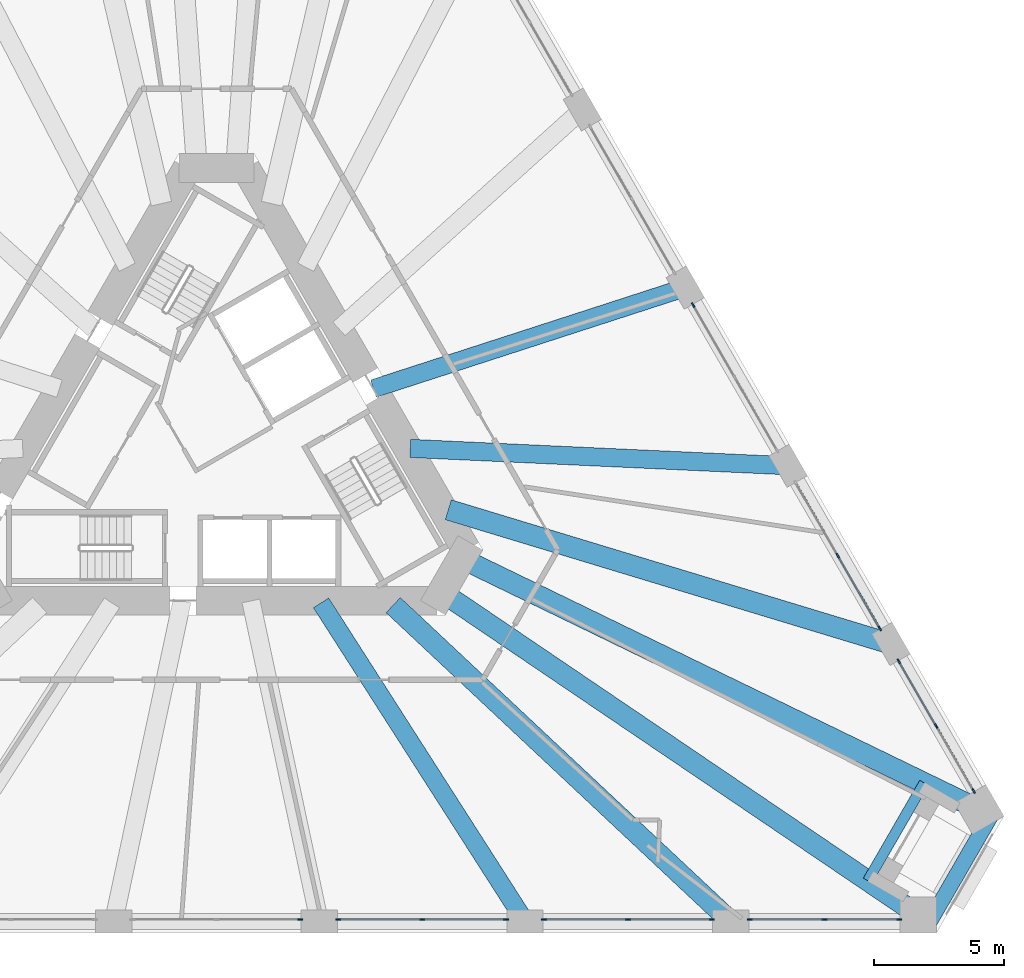
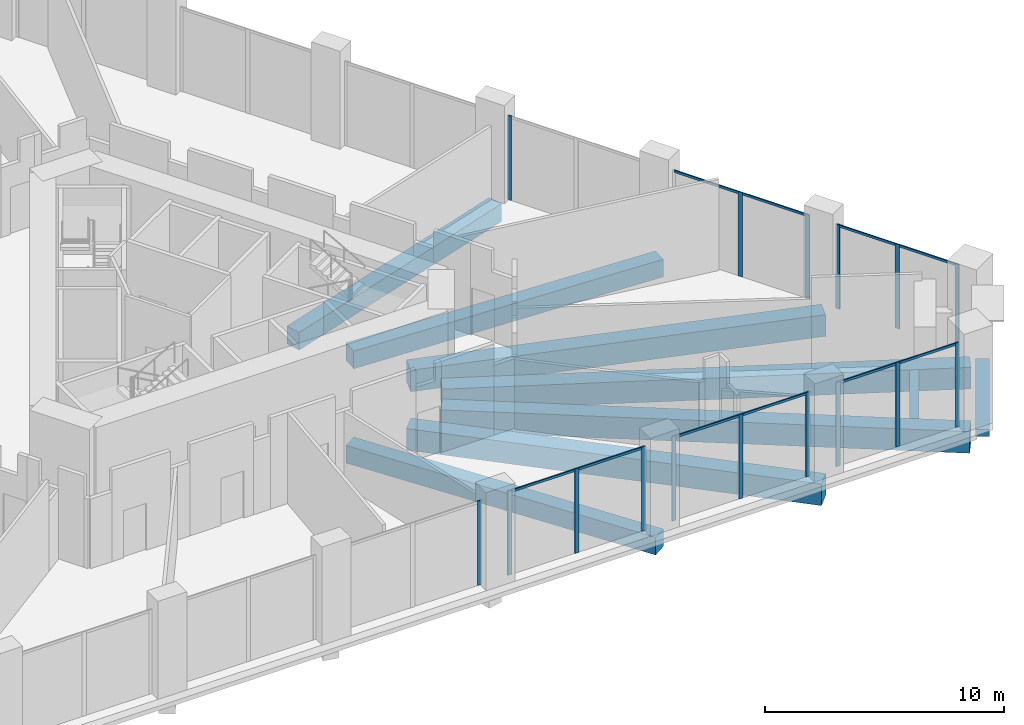
# One storey, part 7 of 20: 26 members, 9 beams, 7 elements without a shape of their own.
"""IFC4 building model written with IfcOpenShell, lengths in metres."""

import ifcopenshell
import ifcopenshell.guid

model = None  # the IFC model being written
_history = None  # IfcOwnerHistory: only IFC2X3 demands one
_inside = {}  # id of a spatial element -> (the spatial element, [elements in it])
_under = {}  # id of a project, library or spatial element -> (it, [spatial elements below it])
_declared = {}  # id of a project -> (the project, [libraries it declares])
_typed = {}  # id of a type object -> (the type object, [elements of that type])
_made_of = {}  # id of a material, layer set ... -> (it, [elements and type objects made of it])


def new_model(schema):
    """Start an empty IFC model of exactly this schema.

    Asked for "IFC4X3", IfcOpenShell would pick the latest addendum, in which some entities
    have other attributes; the version numbers below select the first issue.
    IFC2X3 requires an IfcOwnerHistory on every rooted entity: one is made here for all.
    """
    global model, _history
    if schema == "IFC4X3":
        model = ifcopenshell.file(schema_version=(4, 3, 0, 0))
    else:
        model = ifcopenshell.file(schema=schema)
    _inside.clear()
    _under.clear()
    _declared.clear()
    _typed.clear()
    _made_of.clear()
    _history = None
    if model.schema == "IFC2X3":
        org = make("IfcOrganization", Name="unknown")
        user = make(
            "IfcPersonAndOrganization",
            ThePerson=make("IfcPerson", FamilyName="unknown"),
            TheOrganization=org,
        )
        app = make(
            "IfcApplication",
            ApplicationDeveloper=org,
            Version="unknown",
            ApplicationFullName="unknown",
            ApplicationIdentifier="unknown",
        )
        _history = make(
            "IfcOwnerHistory",
            OwningUser=user,
            OwningApplication=app,
            ChangeAction="ADDED",
            CreationDate=0,
        )
    return model


def make(cls, **values):
    """One entity of the class cls with the attributes given. An attribute that is None is left unset."""
    return model.create_entity(
        cls, **{name: value for name, value in values.items() if value is not None}
    )


def rooted(cls, **values):
    """An entity with a GlobalId (a new one), such as an element, a storey or a relation."""
    return make(cls, GlobalId=ifcopenshell.guid.new(), OwnerHistory=_history, **values)


def si_unit(unit_type, name, prefix=None):
    """IfcSIUnit, for example si_unit("LENGTHUNIT", "METRE", prefix="MILLI")."""
    return make("IfcSIUnit", UnitType=unit_type, Prefix=prefix, Name=name)


def assignment(units):
    """IfcUnitAssignment: the units of a project."""
    return None if units is None else make("IfcUnitAssignment", Units=units)


def point(xyz):
    """IfcCartesianPoint."""
    return None if xyz is None else make("IfcCartesianPoint", Coordinates=xyz)


def direction(xyz):
    """IfcDirection."""
    return None if xyz is None else make("IfcDirection", DirectionRatios=xyz)


def frame(location, z_axis=None, x_axis=None):
    """IfcAxis2Placement3D, a coordinate frame: its origin and axes. An axis left out is left unset."""
    return make(
        "IfcAxis2Placement3D",
        Location=point(location),
        Axis=direction(z_axis),
        RefDirection=direction(x_axis),
    )


def frame_2d(location, x_axis=None):
    """IfcAxis2Placement2D, a coordinate frame in the plane: its origin and x axis."""
    return make(
        "IfcAxis2Placement2D", Location=point(location), RefDirection=direction(x_axis)
    )


def origin():
    """The frame at (0, 0, 0) with its axes left unset."""
    return frame((0.0, 0.0, 0.0))


def origin_2d():
    """The frame at (0, 0) in the plane with its x axis left unset."""
    return frame_2d((0.0, 0.0))


def place(relative_to, where):
    """IfcLocalPlacement: puts the frame where relative to a parent placement (None: the world)."""
    return make(
        "IfcLocalPlacement", PlacementRelTo=relative_to, RelativePlacement=where
    )


def context(
    kind, dimensions, precision=None, world=None, true_north=None, identifier=None
):
    """IfcGeometricRepresentationContext, for example the 3D "Model" context."""
    return make(
        "IfcGeometricRepresentationContext",
        ContextIdentifier=identifier,
        ContextType=kind,
        CoordinateSpaceDimension=dimensions,
        Precision=precision,
        WorldCoordinateSystem=world,
        TrueNorth=true_north,
    )


def subcontext(parent, identifier, kind, view, scale=None):
    """IfcGeometricRepresentationSubContext, for example "Body" below "Model"."""
    return make(
        "IfcGeometricRepresentationSubContext",
        ContextIdentifier=identifier,
        ContextType=kind,
        ParentContext=parent,
        TargetScale=scale,
        TargetView=view,
    )


def project(units=None, contexts=None):
    """IfcProject with its units and contexts."""
    return rooted(
        "IfcProject",
        Name="project",
        RepresentationContexts=contexts,
        UnitsInContext=assignment(units),
    )


def spatial(cls, under=None, at=None, **own):
    """A site, building, storey or space (cls), placed at a placement, below another one or the project."""
    s = rooted(cls, ObjectPlacement=at, **own)
    if under is not None:
        _under.setdefault(under.id(), (under, []))[1].append(s)
    return s


def profile(cls, at=None, kind="AREA", **sizes):
    """A parametric profile (cls). Its sizes go by their IFC names, for example OverallWidth=200.0."""
    return make(cls, ProfileType=kind, Position=at, **sizes)


def rectangle(**sizes):
    """IfcRectangleProfileDef."""
    return profile("IfcRectangleProfileDef", **sizes)


def extrude(swept, where, along, depth):
    """IfcExtrudedAreaSolid: the profile swept, set in the frame where, extruded along a direction by depth."""
    return make(
        "IfcExtrudedAreaSolid",
        SweptArea=swept,
        Position=where,
        ExtrudedDirection=direction(along),
        Depth=depth,
    )


def shape(context_of_items, identifier, shape_type, items):
    """IfcShapeRepresentation: the items that make up one representation, for example the "Body"."""
    return make(
        "IfcShapeRepresentation",
        ContextOfItems=context_of_items,
        RepresentationIdentifier=identifier,
        RepresentationType=shape_type,
        Items=items,
    )


def material(Name=None, Category=None):
    """IfcMaterial."""
    return make("IfcMaterial", Name=Name, Category=Category)


def layer(
    of_material, thickness, ventilated=None, Name=None, Category=None, Priority=None
):
    """IfcMaterialLayer: one layer of a wall or slab, of a material (None: an air gap)."""
    return make(
        "IfcMaterialLayer",
        Material=of_material,
        LayerThickness=thickness,
        IsVentilated=ventilated,
        Name=Name,
        Category=Category,
        Priority=Priority,
    )


def layer_set(layers, Name=None):
    """IfcMaterialLayerSet."""
    return make("IfcMaterialLayerSet", MaterialLayers=layers, LayerSetName=Name)


def material_profile(
    of_material, cross_section, Name=None, Category=None, Priority=None
):
    """IfcMaterialProfile: a cross section and its material."""
    return make(
        "IfcMaterialProfile",
        Name=Name,
        Material=of_material,
        Profile=cross_section,
        Priority=Priority,
        Category=Category,
    )


def profile_set(profiles, Name=None, composite=None):
    """IfcMaterialProfileSet."""
    return make(
        "IfcMaterialProfileSet",
        Name=Name,
        MaterialProfiles=profiles,
        CompositeProfile=composite,
    )


def made_of(thing, what):
    """Note that an element or type object is made of a material, layer set ...; save() writes the relation."""
    if what is not None:
        _made_of.setdefault(what.id(), (what, []))[1].append(thing)
    return thing


def type_object(cls, material=None, **own):
    """A type object (cls), such as IfcWallType, which elements share."""
    return made_of(rooted(cls, **own), material)


def element(
    cls,
    number,
    at=None,
    inside=None,
    cuts=None,
    type_object=None,
    material=None,
    context=None,
    identifier="Body",
    shape_type=None,
    held_by="IfcProductDefinitionShape",
    body=None,
    shapes=None,
    **own,
):
    """One element of the class cls, such as IfcWall. Its Tag is "e" and its number.

    at: its placement. inside: the storey or other place that contains it. cuts: it is an
    opening in that element (IfcRelVoidsElement). A single representation is given by context,
    identifier, shape_type and body (its items); several are given by shapes. held_by: the class
    of the entity that holds the representations. save() writes the other relations.
    """
    e = rooted(cls, Tag="e%d" % number, ObjectPlacement=at, **own)
    if body is not None:
        shapes = [shape(context, identifier, shape_type, body)]
    if shapes is not None:
        e.Representation = make(held_by, Representations=shapes)
    if inside is not None:
        _inside.setdefault(inside.id(), (inside, []))[1].append(e)
    if cuts is not None:
        rooted(
            "IfcRelVoidsElement", RelatingBuildingElement=cuts, RelatedOpeningElement=e
        )
    if type_object is not None:
        _typed.setdefault(type_object.id(), (type_object, []))[1].append(e)
    return made_of(e, material)


def aggregate(whole, parts):
    """IfcRelAggregates: a whole, such as a stair, and the parts it consists of."""
    return rooted("IfcRelAggregates", RelatingObject=whole, RelatedObjects=parts)


def save(model, path):
    """Write the relations noted so far, then the file.

    IfcRelAggregates (storeys below a building ...), IfcRelContainedInSpatialStructure (elements
    in a storey), IfcRelDefinesByType, IfcRelAssociatesMaterial and IfcRelDeclares: one each for
    every whole, place, type object, material and project.
    """
    for whole, parts in _under.values():
        aggregate(whole, parts)
    for where, things in _inside.values():
        rooted(
            "IfcRelContainedInSpatialStructure",
            RelatedElements=things,
            RelatingStructure=where,
        )
    for kind, things in _typed.values():
        rooted("IfcRelDefinesByType", RelatedObjects=things, RelatingType=kind)
    for what, things in _made_of.values():
        rooted("IfcRelAssociatesMaterial", RelatedObjects=things, RelatingMaterial=what)
    for by, libraries in _declared.values():
        rooted("IfcRelDeclares", RelatingContext=by, RelatedDefinitions=libraries)
    model.write(path)


model = new_model("IFC4")

# Units and contexts
model_context = context("Model", 3, precision=1e-05, world=origin(), true_north=direction((0.0, 1.0)))
body_context = subcontext(model_context, "Body", "Model", "MODEL_VIEW")
ifc_project = project(units=[si_unit("LENGTHUNIT", "METRE"), si_unit("AREAUNIT", "SQUARE_METRE"), si_unit("VOLUMEUNIT", "CUBIC_METRE"), si_unit("PLANEANGLEUNIT", "RADIAN"), si_unit("MASSUNIT", "GRAM", prefix="KILO")], contexts=[model_context])

# Site, building, storey
site_placement = place(None, origin())
site = spatial("IfcSite", under=ifc_project, at=site_placement, CompositionType="ELEMENT")
building_placement = place(site_placement, origin())
building = spatial("IfcBuilding", under=site, at=building_placement, Name="Tramontana Tower", CompositionType="ELEMENT")
storey_placement = place(building_placement, frame((0.0, 0.0, 20.0)))
storey = spatial("IfcBuildingStorey", under=building, at=storey_placement, Name="L03", CompositionType="ELEMENT", Elevation=20.0)

# Curtain wall, member
ifc_material_1 = material(Name="Aluminum extrusion", Category="aluminium")
ifc_layer = layer(ifc_material_1, 0.14990234375)
ifc_layer_set = layer_set([ifc_layer], Name="CW2 Podium amenity curtain wall")
curtain_wall_type = type_object("IfcCurtainWallType", Name="CW2 Podium amenity curtain wall", PredefinedType="NOTDEFINED", material=ifc_layer_set)
curtain_wall_1_placement = place(storey_placement, origin())
curtain_wall_1 = element("IfcCurtainWall", 1, at=curtain_wall_1_placement, inside=storey, type_object=curtain_wall_type, Name="CW2 curtain wall L03 face 1 bay 4", PredefinedType="NOTDEFINED")
ifc_material_2 = material(Name="Aluminum extrusion", Category="aluminium")
ifc_material_profile_1 = material_profile(ifc_material_2, rectangle(XDim=0.06005859375, YDim=0.199951171875, at=origin_2d()), Name="CW2-M Mullion 60 x 200")
ifc_profile_set_1 = profile_set([ifc_material_profile_1], Name="Aluminum extrusion")
member_type_1 = type_object("IfcMemberType", Name="CW2-M Mullion 60 x 200", PredefinedType="MULLION", material=ifc_profile_set_1)
member_1_placement = place(storey_placement, frame((3.22900390625, -18.47509765625, 0.0), z_axis=(0.0, 0.0, 1.0), x_axis=(0.0, 1.0, 0.0)))
member_1 = element("IfcMember", 2, at=member_1_placement, type_object=member_type_1, Name="CW2 curtain wall L03 face 1 bay 4 mullion 3", PredefinedType="MULLION", context=body_context, shape_type="SweptSolid", body=[
    extrude(rectangle(XDim=0.06005859375, YDim=0.199951171875, at=origin_2d()), origin(), (0.0, 0.0, 1.0), 4.300048828125),
])
aggregate(curtain_wall_1, [member_1])

# Curtain wall, members
curtain_wall_2_placement = place(storey_placement, origin())
curtain_wall_2 = element("IfcCurtainWall", 3, at=curtain_wall_2_placement, inside=storey, type_object=curtain_wall_type, Name="CW2 curtain wall L03 face 1 bay 5", PredefinedType="NOTDEFINED")
member_2_placement = place(storey_placement, frame((4.68896484375, -18.47509765625, 0.0), z_axis=(0.0, 0.0, 1.0), x_axis=(0.0, 1.0, 0.0)))
member_2 = element("IfcMember", 4, at=member_2_placement, type_object=member_type_1, Name="CW2 curtain wall L03 face 1 bay 5 mullion 1", PredefinedType="MULLION", context=body_context, shape_type="SweptSolid", body=[
    extrude(rectangle(XDim=0.06005859375, YDim=0.199951171875, at=origin_2d()), origin(), (0.0, 0.0, 1.0), 4.300048828125),
])
member_3_placement = place(storey_placement, frame((7.91796875, -18.47509765625, 0.0), z_axis=(0.0, 0.0, 1.0), x_axis=(0.0, 1.0, 0.0)))
member_3 = element("IfcMember", 5, at=member_3_placement, type_object=member_type_1, Name="CW2 curtain wall L03 face 1 bay 5 mullion 2", PredefinedType="MULLION", context=body_context, shape_type="SweptSolid", body=[
    extrude(rectangle(XDim=0.06005859375, YDim=0.199951171875, at=origin_2d()), origin(), (0.0, 0.0, 1.0), 4.300048828125),
])
member_4_placement = place(storey_placement, frame((11.14697265625, -18.47509765625, 0.0), z_axis=(0.0, 0.0, 1.0), x_axis=(0.0, 1.0, 0.0)))
member_4 = element("IfcMember", 6, at=member_4_placement, type_object=member_type_1, Name="CW2 curtain wall L03 face 1 bay 5 mullion 3", PredefinedType="MULLION", context=body_context, shape_type="SweptSolid", body=[
    extrude(rectangle(XDim=0.06005859375, YDim=0.199951171875, at=origin_2d()), origin(), (0.0, 0.0, 1.0), 4.300048828125),
])

curtain_wall_3_placement = place(storey_placement, origin())
curtain_wall_3 = element("IfcCurtainWall", 7, at=curtain_wall_3_placement, inside=storey, type_object=curtain_wall_type, Name="CW2 curtain wall L03 face 1 bay 6", PredefinedType="NOTDEFINED")
member_5_placement = place(storey_placement, frame((12.60693359375, -18.47509765625, 0.0), z_axis=(0.0, 0.0, 1.0), x_axis=(0.0, 1.0, 0.0)))
member_5 = element("IfcMember", 8, at=member_5_placement, type_object=member_type_1, Name="CW2 curtain wall L03 face 1 bay 6 mullion 1", PredefinedType="MULLION", context=body_context, shape_type="SweptSolid", body=[
    extrude(rectangle(XDim=0.06005859375, YDim=0.199951171875, at=origin_2d()), origin(), (0.0, 0.0, 1.0), 4.300048828125),
])
member_6_placement = place(storey_placement, frame((15.8359375, -18.47509765625, 0.0), z_axis=(0.0, 0.0, 1.0), x_axis=(0.0, 1.0, 0.0)))
member_6 = element("IfcMember", 9, at=member_6_placement, type_object=member_type_1, Name="CW2 curtain wall L03 face 1 bay 6 mullion 2", PredefinedType="MULLION", context=body_context, shape_type="SweptSolid", body=[
    extrude(rectangle(XDim=0.06005859375, YDim=0.199951171875, at=origin_2d()), origin(), (0.0, 0.0, 1.0), 4.300048828125),
])
member_7_placement = place(storey_placement, frame((19.06494140625, -18.47509765625, 0.0), z_axis=(0.0, 0.0, 1.0), x_axis=(0.0, 1.0, 0.0)))
member_7 = element("IfcMember", 10, at=member_7_placement, type_object=member_type_1, Name="CW2 curtain wall L03 face 1 bay 6 mullion 3", PredefinedType="MULLION", context=body_context, shape_type="SweptSolid", body=[
    extrude(rectangle(XDim=0.06005859375, YDim=0.199951171875, at=origin_2d()), origin(), (0.0, 0.0, 1.0), 4.300048828125),
])

curtain_wall_4_placement = place(storey_placement, origin())
curtain_wall_4 = element("IfcCurtainWall", 11, at=curtain_wall_4_placement, inside=storey, type_object=curtain_wall_type, Name="CW2 curtain wall L03 face 1 bay 7", PredefinedType="NOTDEFINED")
member_8_placement = place(storey_placement, frame((20.52490234375, -18.47509765625, 0.0), z_axis=(0.0, 0.0, 1.0), x_axis=(0.0, 1.0, 0.0)))
member_8 = element("IfcMember", 12, at=member_8_placement, type_object=member_type_1, Name="CW2 curtain wall L03 face 1 bay 7 mullion 1", PredefinedType="MULLION", context=body_context, shape_type="SweptSolid", body=[
    extrude(rectangle(XDim=0.06005859375, YDim=0.199951171875, at=origin_2d()), origin(), (0.0, 0.0, 1.0), 4.300048828125),
])
member_9_placement = place(storey_placement, frame((23.40380859375, -18.47509765625, 0.0), z_axis=(0.0, 0.0, 1.0), x_axis=(0.0, 1.0, 0.0)))
member_9 = element("IfcMember", 13, at=member_9_placement, type_object=member_type_1, Name="CW2 curtain wall L03 face 1 bay 7 mullion 2", PredefinedType="MULLION", context=body_context, shape_type="SweptSolid", body=[
    extrude(rectangle(XDim=0.06005859375, YDim=0.199951171875, at=origin_2d()), origin(), (0.0, 0.0, 1.0), 4.300048828125),
])
member_10_placement = place(storey_placement, frame((26.28271484375, -18.47509765625, 0.0), z_axis=(0.0, 0.0, 1.0), x_axis=(0.0, 1.0, 0.0)))
member_10 = element("IfcMember", 14, at=member_10_placement, type_object=member_type_1, Name="CW2 curtain wall L03 face 1 bay 7 mullion 3", PredefinedType="MULLION", context=body_context, shape_type="SweptSolid", body=[
    extrude(rectangle(XDim=0.06005859375, YDim=0.199951171875, at=origin_2d()), origin(), (0.0, 0.0, 1.0), 4.300048828125),
])

curtain_wall_5_placement = place(storey_placement, origin())
curtain_wall_5 = element("IfcCurtainWall", 15, at=curtain_wall_5_placement, inside=storey, type_object=curtain_wall_type, Name="CW2 curtain wall L03 face 2 bay 1", PredefinedType="NOTDEFINED")
member_11_placement = place(storey_placement, frame((29.14111328125, -13.524169921875, 0.0), z_axis=(0.0, 0.0, 1.0), x_axis=(-0.866025403784, -0.5, 0.0)))
member_11 = element("IfcMember", 16, at=member_11_placement, type_object=member_type_1, Name="CW2 curtain wall L03 face 2 bay 1 mullion 1", PredefinedType="MULLION", context=body_context, shape_type="SweptSolid", body=[
    extrude(rectangle(XDim=0.06005859375, YDim=0.199951171875, at=origin_2d()), origin(), (0.0, 0.0, 1.0), 4.300048828125),
])
member_12_placement = place(storey_placement, frame((27.70166015625, -11.03076171875, 0.0), z_axis=(0.0, 0.0, 1.0), x_axis=(-0.866025403784, -0.5, 0.0)))
member_12 = element("IfcMember", 17, at=member_12_placement, type_object=member_type_1, Name="CW2 curtain wall L03 face 2 bay 1 mullion 2", PredefinedType="MULLION", context=body_context, shape_type="SweptSolid", body=[
    extrude(rectangle(XDim=0.06005859375, YDim=0.199951171875, at=origin_2d()), origin(), (0.0, 0.0, 1.0), 4.300048828125),
])
member_13_placement = place(storey_placement, frame((26.26220703125, -8.53759765625, 0.0), z_axis=(0.0, 0.0, 1.0), x_axis=(-0.866025403784, -0.5, 0.0)))
member_13 = element("IfcMember", 18, at=member_13_placement, type_object=member_type_1, Name="CW2 curtain wall L03 face 2 bay 1 mullion 3", PredefinedType="MULLION", context=body_context, shape_type="SweptSolid", body=[
    extrude(rectangle(XDim=0.06005859375, YDim=0.199951171875, at=origin_2d()), origin(), (0.0, 0.0, 1.0), 4.300048828125),
])

curtain_wall_6_placement = place(storey_placement, origin())
curtain_wall_6 = element("IfcCurtainWall", 19, at=curtain_wall_6_placement, inside=storey, type_object=curtain_wall_type, Name="CW2 curtain wall L03 face 2 bay 2", PredefinedType="NOTDEFINED")
member_14_placement = place(storey_placement, frame((25.5322265625, -7.273193359375, 0.0), z_axis=(0.0, 0.0, 1.0), x_axis=(-0.866025403784, -0.5, 0.0)))
member_14 = element("IfcMember", 20, at=member_14_placement, type_object=member_type_1, Name="CW2 curtain wall L03 face 2 bay 2 mullion 1", PredefinedType="MULLION", context=body_context, shape_type="SweptSolid", body=[
    extrude(rectangle(XDim=0.06005859375, YDim=0.199951171875, at=origin_2d()), origin(), (0.0, 0.0, 1.0), 4.300048828125),
])
member_15_placement = place(storey_placement, frame((23.917724609375, -4.476806640625, 0.0), z_axis=(0.0, 0.0, 1.0), x_axis=(-0.866025403784, -0.5, 0.0)))
member_15 = element("IfcMember", 21, at=member_15_placement, type_object=member_type_1, Name="CW2 curtain wall L03 face 2 bay 2 mullion 2", PredefinedType="MULLION", context=body_context, shape_type="SweptSolid", body=[
    extrude(rectangle(XDim=0.06005859375, YDim=0.199951171875, at=origin_2d()), origin(), (0.0, 0.0, 1.0), 4.300048828125),
])

# Curtain wall, member
curtain_wall_7_placement = place(storey_placement, origin())
curtain_wall_7 = element("IfcCurtainWall", 22, at=curtain_wall_7_placement, inside=storey, type_object=curtain_wall_type, Name="CW2 curtain wall L03 face 2 bay 3", PredefinedType="NOTDEFINED")
member_16_placement = place(storey_placement, frame((18.34423828125, 5.1767578125, 0.0), z_axis=(0.0, 0.0, 1.0), x_axis=(-0.866025403784, -0.5, 0.0)))
member_16 = element("IfcMember", 23, at=member_16_placement, type_object=member_type_1, Name="CW2 curtain wall L03 face 2 bay 3 mullion 3", PredefinedType="MULLION", context=body_context, shape_type="SweptSolid", body=[
    extrude(rectangle(XDim=0.06005859375, YDim=0.199951171875, at=origin_2d()), origin(), (0.0, 0.0, 1.0), 4.300048828125),
])
aggregate(curtain_wall_7, [member_16])

# Member
ifc_material_3 = material(Name="Aluminum extrusion", Category="aluminium")
ifc_material_profile_2 = material_profile(ifc_material_3, rectangle(XDim=0.06005859375, YDim=0.1201171875, at=origin_2d()), Name="CW2-T Transom 60 x 120")
ifc_profile_set_2 = profile_set([ifc_material_profile_2], Name="Aluminum extrusion")
member_type_2 = type_object("IfcMemberType", Name="CW2-T Transom 60 x 120", PredefinedType="USERDEFINED", material=ifc_profile_set_2)
member_17_placement = place(storey_placement, frame((4.718994140625, -18.47509765625, 4.239990234375), z_axis=(1.0, 0.0, 0.0), x_axis=(0.0, 1.0, 0.0)))
member_17 = element("IfcMember", 24, at=member_17_placement, type_object=member_type_2, Name="CW2 curtain wall L03 face 1 bay 5 transom 1.1", ObjectType="TRANSOM", PredefinedType="USERDEFINED", context=body_context, shape_type="SweptSolid", body=[
    extrude(rectangle(XDim=0.06005859375, YDim=0.1201171875, at=origin_2d()), origin(), (0.0, 0.0, 1.0), 3.1689453125),
])

member_18_placement = place(storey_placement, frame((7.947998046875, -18.47509765625, 4.239990234375), z_axis=(1.0, 0.0, 0.0), x_axis=(0.0, 1.0, 0.0)))
member_18 = element("IfcMember", 25, at=member_18_placement, type_object=member_type_2, Name="CW2 curtain wall L03 face 1 bay 5 transom 2.1", ObjectType="TRANSOM", PredefinedType="USERDEFINED", context=body_context, shape_type="SweptSolid", body=[
    extrude(rectangle(XDim=0.06005859375, YDim=0.1201171875, at=origin_2d()), origin(), (0.0, 0.0, 1.0), 3.1689453125),
])

aggregate(curtain_wall_2, [member_2, member_3, member_4, member_17, member_18])

member_19_placement = place(storey_placement, frame((12.636962890625, -18.47509765625, 4.239990234375), z_axis=(1.0, 0.0, 0.0), x_axis=(0.0, 1.0, 0.0)))
member_19 = element("IfcMember", 26, at=member_19_placement, type_object=member_type_2, Name="CW2 curtain wall L03 face 1 bay 6 transom 1.1", ObjectType="TRANSOM", PredefinedType="USERDEFINED", context=body_context, shape_type="SweptSolid", body=[
    extrude(rectangle(XDim=0.06005859375, YDim=0.1201171875, at=origin_2d()), origin(), (0.0, 0.0, 1.0), 3.1689453125),
])

member_20_placement = place(storey_placement, frame((15.865966796875, -18.47509765625, 4.239990234375), z_axis=(1.0, 0.0, 0.0), x_axis=(0.0, 1.0, 0.0)))
member_20 = element("IfcMember", 27, at=member_20_placement, type_object=member_type_2, Name="CW2 curtain wall L03 face 1 bay 6 transom 2.1", ObjectType="TRANSOM", PredefinedType="USERDEFINED", context=body_context, shape_type="SweptSolid", body=[
    extrude(rectangle(XDim=0.06005859375, YDim=0.1201171875, at=origin_2d()), origin(), (0.0, 0.0, 1.0), 3.1689453125),
])

aggregate(curtain_wall_3, [member_5, member_6, member_7, member_19, member_20])

member_21_placement = place(storey_placement, frame((20.554931640625, -18.47509765625, 4.239990234375), z_axis=(1.0, 0.0, 0.0), x_axis=(0.0, 1.0, 0.0)))
member_21 = element("IfcMember", 28, at=member_21_placement, type_object=member_type_2, Name="CW2 curtain wall L03 face 1 bay 7 transom 1.1", ObjectType="TRANSOM", PredefinedType="USERDEFINED", context=body_context, shape_type="SweptSolid", body=[
    extrude(rectangle(XDim=0.06005859375, YDim=0.1201171875, at=origin_2d()), origin(), (0.0, 0.0, 1.0), 2.81884765625),
])

member_22_placement = place(storey_placement, frame((23.433837890625, -18.47509765625, 4.239990234375), z_axis=(1.0, 0.0, 0.0), x_axis=(0.0, 1.0, 0.0)))
member_22 = element("IfcMember", 29, at=member_22_placement, type_object=member_type_2, Name="CW2 curtain wall L03 face 1 bay 7 transom 2.1", ObjectType="TRANSOM", PredefinedType="USERDEFINED", context=body_context, shape_type="SweptSolid", body=[
    extrude(rectangle(XDim=0.06005859375, YDim=0.1201171875, at=origin_2d()), origin(), (0.0, 0.0, 1.0), 2.819091796875),
])

aggregate(curtain_wall_4, [member_8, member_9, member_10, member_21, member_22])

member_23_placement = place(storey_placement, frame((29.126220703125, -13.498046875, 4.239990234375), z_axis=(-0.500004849665, 0.866022603811, 0.0), x_axis=(-0.866022603811, -0.500004849665, 0.0)))
member_23 = element("IfcMember", 30, at=member_23_placement, type_object=member_type_2, Name="CW2 curtain wall L03 face 2 bay 1 transom 1.1", ObjectType="TRANSOM", PredefinedType="USERDEFINED", context=body_context, shape_type="SweptSolid", body=[
    extrude(rectangle(XDim=0.06005859375, YDim=0.1201171875, at=origin_2d()), origin(), (0.0, 0.0, 1.0), 2.81884765625),
])

member_24_placement = place(storey_placement, frame((27.686767578125, -11.0048828125, 4.239990234375), z_axis=(-0.499967348137, 0.866044254525, 0.0), x_axis=(-0.866044254525, -0.499967348137, 0.0)))
member_24 = element("IfcMember", 31, at=member_24_placement, type_object=member_type_2, Name="CW2 curtain wall L03 face 2 bay 1 transom 2.1", ObjectType="TRANSOM", PredefinedType="USERDEFINED", context=body_context, shape_type="SweptSolid", body=[
    extrude(rectangle(XDim=0.06005859375, YDim=0.1201171875, at=origin_2d()), origin(), (0.0, 0.0, 1.0), 2.819091796875),
])

aggregate(curtain_wall_5, [member_11, member_12, member_13, member_23, member_24])

member_25_placement = place(storey_placement, frame((25.517333984375, -7.2470703125, 4.239990234375), z_axis=(-0.500000324964, 0.866025216166, 0.0), x_axis=(-0.866025216166, -0.500000324964, 0.0)))
member_25 = element("IfcMember", 32, at=member_25_placement, type_object=member_type_2, Name="CW2 curtain wall L03 face 2 bay 2 transom 1.1", ObjectType="TRANSOM", PredefinedType="USERDEFINED", context=body_context, shape_type="SweptSolid", body=[
    extrude(rectangle(XDim=0.06005859375, YDim=0.1201171875, at=origin_2d()), origin(), (0.0, 0.0, 1.0), 3.1689453125),
])

member_26_placement = place(storey_placement, frame((23.90283203125, -4.45068359375, 4.239990234375), z_axis=(-0.500000324964, 0.866025216166, 0.0), x_axis=(-0.866025216166, -0.500000324964, 0.0)))
member_26 = element("IfcMember", 33, at=member_26_placement, type_object=member_type_2, Name="CW2 curtain wall L03 face 2 bay 2 transom 2.1", ObjectType="TRANSOM", PredefinedType="USERDEFINED", context=body_context, shape_type="SweptSolid", body=[
    extrude(rectangle(XDim=0.06005859375, YDim=0.1201171875, at=origin_2d()), origin(), (0.0, 0.0, 1.0), 3.1689453125),
])

aggregate(curtain_wall_6, [member_14, member_15, member_25, member_26])

# Beams
ifc_material_4 = material(Name="Concrete 40 MPa", Category="concrete")
ifc_material_profile_3 = material_profile(ifc_material_4, rectangle(XDim=0.60009765625, YDim=0.35009765625, at=origin_2d()), Name="RC EDGE BEAM 600X350 40 MPa")
ifc_profile_set_3 = profile_set([ifc_material_profile_3], Name="Concrete 40 MPa")
beam_type_1 = type_object("IfcBeamType", Name="RC EDGE BEAM 600X350 40 MPa", PredefinedType="SPANDREL", material=ifc_profile_set_3)
beam_1_placement = place(storey_placement, frame((27.322998046875, -18.77490234375, -0.52490234375), z_axis=(0.50000986103, 0.866019710441, 0.0), x_axis=(-0.866019710441, 0.50000986103, 0.0)))
element("IfcBeam", 34, at=beam_1_placement, inside=storey, type_object=beam_type_1, Name="Spandrel beam K2 L03", PredefinedType="SPANDREL", context=body_context, shape_type="SweptSolid", body=[
    extrude(rectangle(XDim=0.60009765625, YDim=0.35009765625, at=origin_2d()), origin(), (0.0, 0.0, 1.0), 5.1962890625),
])
ifc_material_5 = material(Name="Concrete 40 MPa", Category="concrete")
ifc_material_profile_4 = material_profile(ifc_material_5, rectangle(XDim=0.699951171875, YDim=0.89990234375, at=origin_2d()), Name="RC GIRDER 700X900 40 MPa")
ifc_profile_set_4 = profile_set([ifc_material_profile_4], Name="Concrete 40 MPa")
beam_type_2 = type_object("IfcBeamType", Name="RC GIRDER 700X900 40 MPa", PredefinedType="BEAM", material=ifc_profile_set_4)
for number, where, z_axis, x_axis, name in (
    (35, (11.876953125, -18.550048828125, -0.800048828125), (-0.539217827497, 0.84216633423, 0.0), (-0.84216633423, -0.539217827497, 0.0), "Radial girder C0F11 L03"),
    (36, (22.003173828125, -1.0107421875, -0.800048828125), (-0.998946541736, 0.045889070085, 0.0), (-0.045889070085, -0.998946541736, 0.0), "Radial girder C0F14 L03"),
):
    element("IfcBeam", number, at=place(storey_placement, frame(where, z_axis=z_axis, x_axis=x_axis)), inside=storey, type_object=beam_type_2, Name=name, PredefinedType="BEAM", context=body_context, shape_type="SweptSolid", body=[
        extrude(rectangle(XDim=0.699951171875, YDim=0.89990234375, at=origin_2d()), origin(), (0.0, 0.0, 1.0), 14.5615234375),
    ])
beam_2_placement = place(storey_placement, frame((18.044189453125, 5.846435546875, -0.800048828125), z_axis=(-0.951314408854, -0.30822215285, 0.0), x_axis=(0.30822215285, -0.951314408854, 0.0)))
element("IfcBeam", 37, at=beam_2_placement, inside=storey, type_object=beam_type_2, Name="Radial girder C0F15 L03", PredefinedType="BEAM", context=body_context, shape_type="SweptSolid", body=[
    extrude(rectangle(XDim=0.699951171875, YDim=0.89990234375, at=origin_2d()), origin(), (0.0, 0.0, 1.0), 12.61572265625),
])
ifc_material_6 = material(Name="Concrete 40 MPa", Category="concrete")
ifc_material_profile_5 = material_profile(ifc_material_6, rectangle(XDim=0.800048828125, YDim=1.10009765625, at=origin_2d()), Name="RC GIRDER 800X1100 40 MPa")
ifc_profile_set_5 = profile_set([ifc_material_profile_5], Name="Concrete 40 MPa")
beam_type_3 = type_object("IfcBeamType", Name="RC GIRDER 800X1100 40 MPa", PredefinedType="BEAM", material=ifc_profile_set_5)
beam_3_placement = place(storey_placement, frame((19.794921875, -18.550048828125, -0.89990234375), z_axis=(-0.72967229952, 0.683796998614, 0.0), x_axis=(-0.683796998614, -0.72967229952, 0.0)))
element("IfcBeam", 38, at=beam_3_placement, inside=storey, type_object=beam_type_3, Name="Radial girder C0F12 L03", PredefinedType="BEAM", context=body_context, shape_type="SweptSolid", body=[
    extrude(rectangle(XDim=0.800048828125, YDim=1.10009765625, at=origin_2d()), origin(), (0.0, 0.0, 1.0), 17.806884765625),
])
beam_4_placement = place(storey_placement, frame((27.0126953125, -18.300048828125, -0.89990234375), z_axis=(-0.827898052271, 0.560878609903, 0.0), x_axis=(-0.560878609903, -0.827898052271, 0.0)))
element("IfcBeam", 39, at=beam_4_placement, inside=storey, type_object=beam_type_3, Name="Radial girder C0K4 L03", PredefinedType="BEAM", context=body_context, shape_type="SweptSolid", body=[
    extrude(rectangle(XDim=0.800048828125, YDim=1.10009765625, at=origin_2d()), origin(), (0.0, 0.0, 1.0), 22.1494140625),
])
beam_5_placement = place(storey_placement, frame((29.354736328125, -14.243896484375, -0.89990234375), z_axis=(-0.899679009302, 0.436552036098, 0.0), x_axis=(-0.436552036098, -0.899679009302, 0.0)))
element("IfcBeam", 40, at=beam_5_placement, inside=storey, type_object=beam_type_3, Name="Radial girder C0K5 L03", PredefinedType="BEAM", context=body_context, shape_type="SweptSolid", body=[
    extrude(rectangle(XDim=0.800048828125, YDim=1.10009765625, at=origin_2d()), origin(), (0.0, 0.0, 1.0), 22.149658203125),
])
beam_6_placement = place(storey_placement, frame((25.962158203125, -7.867919921875, -0.89990234375), z_axis=(-0.95701990712, 0.290022236004, 0.0), x_axis=(-0.290022236004, -0.95701990712, 0.0)))
element("IfcBeam", 41, at=beam_6_placement, inside=storey, type_object=beam_type_3, Name="Radial girder C0F13 L03", PredefinedType="BEAM", context=body_context, shape_type="SweptSolid", body=[
    extrude(rectangle(XDim=0.800048828125, YDim=1.10009765625, at=origin_2d()), origin(), (0.0, 0.0, 1.0), 17.806640625),
])
ifc_material_7 = material(Name="Concrete 40 MPa", Category="concrete")
ifc_material_profile_6 = material_profile(ifc_material_7, rectangle(XDim=0.39990234375, YDim=0.5, at=origin_2d()), Name="RC TRIM BEAM 400X500 40 MPa")
ifc_profile_set_6 = profile_set([ifc_material_profile_6], Name="Concrete 40 MPa")
beam_type_4 = type_object("IfcBeamType", Name="RC TRIM BEAM 400X500 40 MPa", PredefinedType="JOIST", material=ifc_profile_set_6)
beam_7_placement = place(storey_placement, frame((25.0673828125, -16.98193359375, -0.60009765625), z_axis=(0.499999616612, 0.866025625133, 0.0), x_axis=(-0.866025625133, 0.499999616612, 0.0)))
element("IfcBeam", 42, at=beam_7_placement, inside=storey, type_object=beam_type_4, Name="Trimmer beam K2 L03", PredefinedType="JOIST", context=body_context, shape_type="SweptSolid", body=[
    extrude(rectangle(XDim=0.39990234375, YDim=0.5, at=origin_2d()), origin(), (0.0, 0.0, 1.0), 4.34619140625),
])

save(model, "model.ifc")
